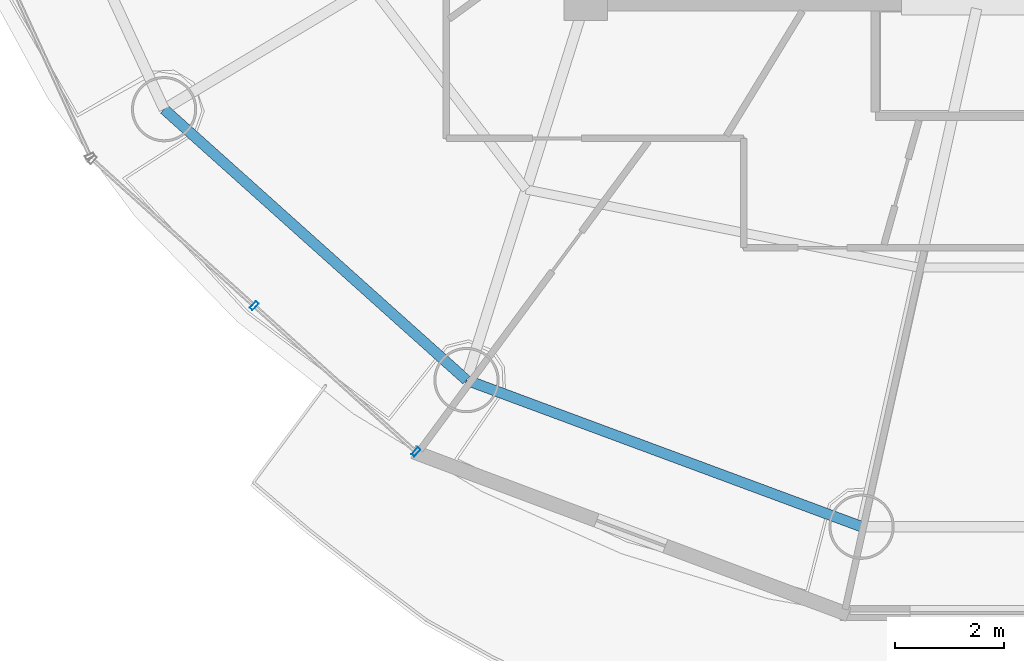
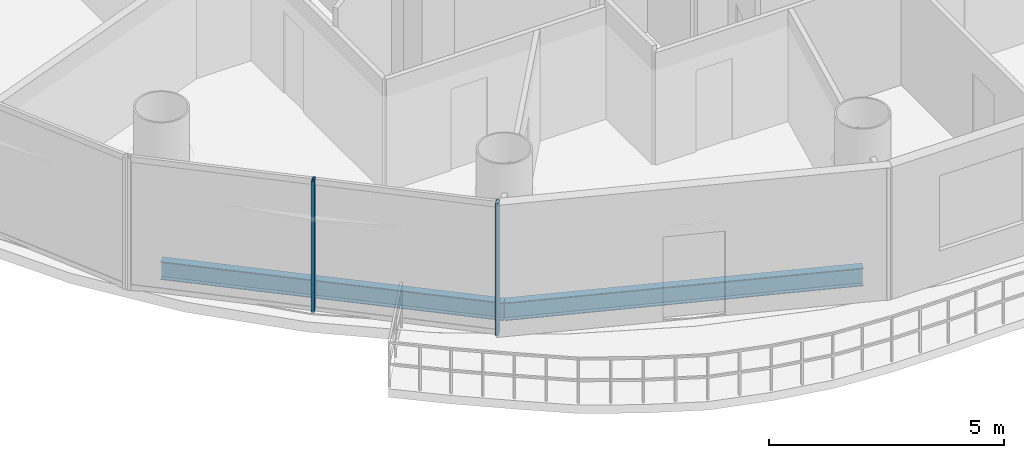
# One storey, part 2 of 26: 2 beams, 2 members, 1 element without a shape of its own.
"""IFC4 building model written with IfcOpenShell, lengths in metres."""

from ifc_helpers import new_model, si_unit, direction, frame, origin, origin_2d, place, context, subcontext, project, spatial, hollow_rectangle, i_section, extrude, source, transform, mapped, material, material_profile, profile_set, type_object, element, aggregate, save


model = new_model("IFC4")

# Units and contexts
model_context = context("Model", 3, precision=1e-05, world=origin(), true_north=direction((-0.2419218956, 0.970295726276)))
body_context = subcontext(model_context, "Body", "Model", "MODEL_VIEW")
ifc_project = project(units=[si_unit("LENGTHUNIT", "METRE"), si_unit("AREAUNIT", "SQUARE_METRE"), si_unit("VOLUMEUNIT", "CUBIC_METRE"), si_unit("PLANEANGLEUNIT", "RADIAN"), si_unit("MASSUNIT", "GRAM", prefix="KILO")], contexts=[model_context])

# Site, building, storey
site_placement = place(None, origin())
site = spatial("IfcSite", under=ifc_project, at=site_placement, CompositionType="ELEMENT")
building_placement = place(site_placement, origin())
building = spatial("IfcBuilding", under=site, at=building_placement, Name="Cobrevalo Terracotta Tower", CompositionType="ELEMENT")
storey_placement = place(building_placement, frame((0.0, 0.0, 209.699951171875)))
storey = spatial("IfcBuildingStorey", under=building, at=storey_placement, Name="L55", CompositionType="ELEMENT", Elevation=209.699951171875)

# Beams
ifc_material_1 = material(Name="Steel S355", Category="steel")
ifc_material_profile_1 = material_profile(ifc_material_1, i_section(OverallWidth=0.194091796875, OverallDepth=0.468994140625, WebThickness=0.011474609375, FlangeThickness=0.0205078125, at=origin_2d()), Name="W 460x106")
ifc_profile_set_1 = profile_set([ifc_material_profile_1], Name="Steel S355")
beam_type = type_object("IfcBeamType", Name="Structural Spandrel W 460x106 (Steel S355)", PredefinedType="SPANDREL", material=ifc_profile_set_1)
beam_1_placement = place(storey_placement, frame((21.245849609375, 16.77197265625, -0.49951171875), z_axis=(0.744851930997, -0.667229796165, 0.0), x_axis=(0.667229796165, 0.744851930997, 0.0)))
element("IfcBeam", 1, at=beam_1_placement, inside=storey, type_object=beam_type, Name="L55 perimeter ring spandrel 10", PredefinedType="SPANDREL", context=body_context, shape_type="SweptSolid", body=[
    extrude(i_section(OverallWidth=0.194091796875, OverallDepth=0.468994140625, WebThickness=0.011474609375, FlangeThickness=0.0205078125, at=origin_2d()), origin(), (0.0, 0.0, 1.0), 7.463623046875),
])
beam_2_placement = place(storey_placement, frame((26.80517578125, 11.7919921875, -0.49951171875), z_axis=(0.937545996665, -0.347861328892, 0.0), x_axis=(0.347861328892, 0.937545996665, 0.0)))
element("IfcBeam", 2, at=beam_2_placement, inside=storey, type_object=beam_type, Name="L55 perimeter ring spandrel 11", PredefinedType="SPANDREL", context=body_context, shape_type="SweptSolid", body=[
    extrude(i_section(OverallWidth=0.194091796875, OverallDepth=0.468994140625, WebThickness=0.011474609375, FlangeThickness=0.0205078125, at=origin_2d()), origin(), (0.0, 0.0, 1.0), 7.74755859375),
])

# Curtain wall, members
ifc_material_2 = material(Name="Anodized aluminium", Category="aluminium")
curtain_wall_type = type_object("IfcCurtainWallType", Name="Mid-tower high-wind unitised curtain wall CW-U2", PredefinedType="NOTDEFINED", material=ifc_material_2)
curtain_wall_placement = place(storey_placement, origin())
curtain_wall = element("IfcCurtainWall", 3, at=curtain_wall_placement, inside=storey, type_object=curtain_wall_type, Name="L55 curtain wall CW-L55-S10", PredefinedType="NOTDEFINED")
ifc_material_profile_2 = material_profile(ifc_material_2, hollow_rectangle(XDim=0.070068359375, YDim=0.169921875, WallThickness=0.00439453125, at=origin_2d()), Name="CWM 70x170")
ifc_profile_set_2 = profile_set([ifc_material_profile_2], Name="Anodized aluminium")
member_type = type_object("IfcMemberType", Name="Upper tower unitised mullion 70x170", PredefinedType="MULLION", material=ifc_profile_set_2)
shared_shape = source(origin(), body_context, "Body", "SweptSolid", [
    extrude(hollow_rectangle(XDim=0.070068359375, YDim=0.169921875, WallThickness=0.00439453125, at=origin_2d()), origin(), (0.0, 0.0, 1.0), 3.43505859375),
])
member_1_placement = place(storey_placement, frame((22.902099609375, 13.158447265625, 0.0), z_axis=(0.0, 0.0, 1.0), x_axis=(0.741987542015, -0.670413668935, 0.0)))
member_1 = element("IfcMember", 4, at=member_1_placement, type_object=member_type, Name="CW-L55-S10 vertical mullion 02", PredefinedType="MULLION", context=body_context, shape_type="MappedRepresentation", body=[
    mapped(shared_shape, transform((0.0, 0.0, 0.0), scale=1.0)),
])
member_2_placement = place(storey_placement, frame((25.87548828125, 10.471923828125, 0.0), z_axis=(0.0, 0.0, 1.0), x_axis=(0.741987542015, -0.670413668935, 0.0)))
member_2 = element("IfcMember", 5, at=member_2_placement, type_object=member_type, Name="CW-L55-S10 vertical mullion 03", PredefinedType="MULLION", context=body_context, shape_type="MappedRepresentation", body=[
    mapped(shared_shape, transform((0.0, 0.0, 0.0), scale=1.0)),
])
aggregate(curtain_wall, [member_1, member_2])

save(model, "model.ifc")
